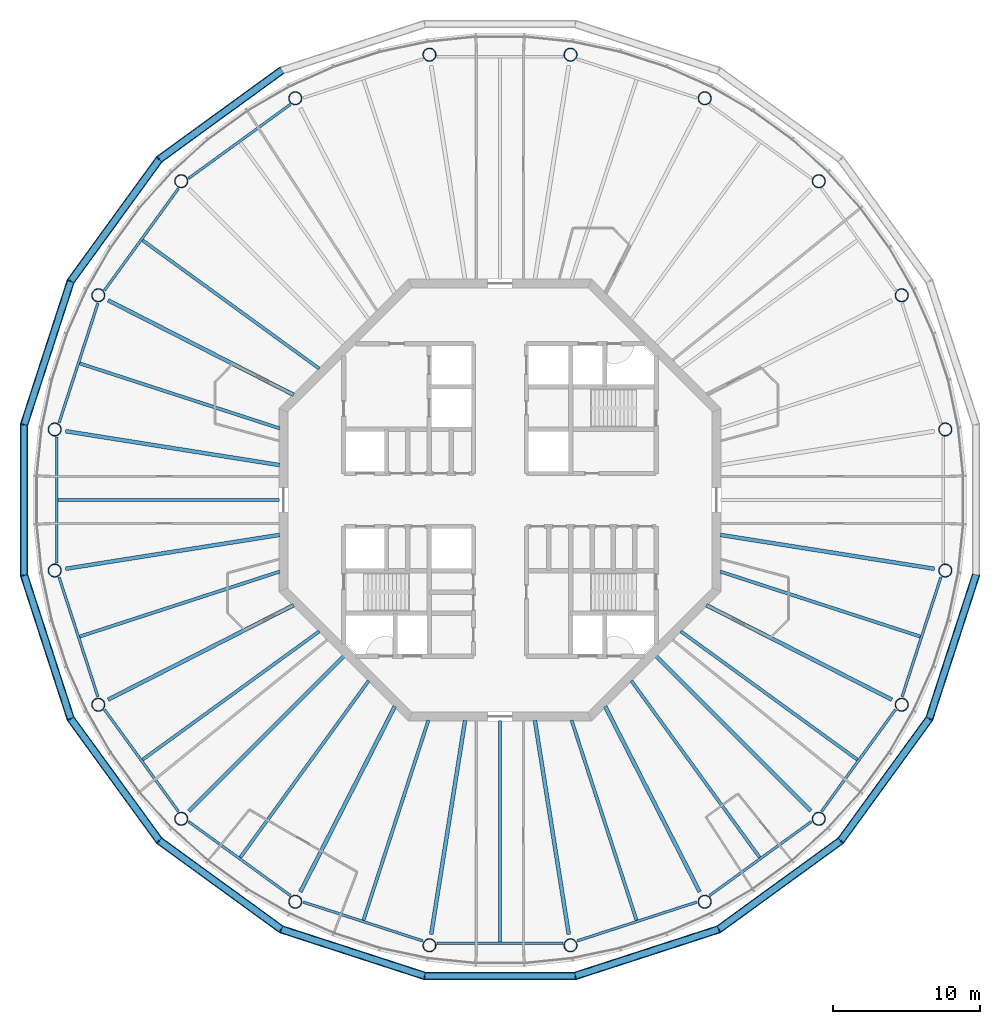
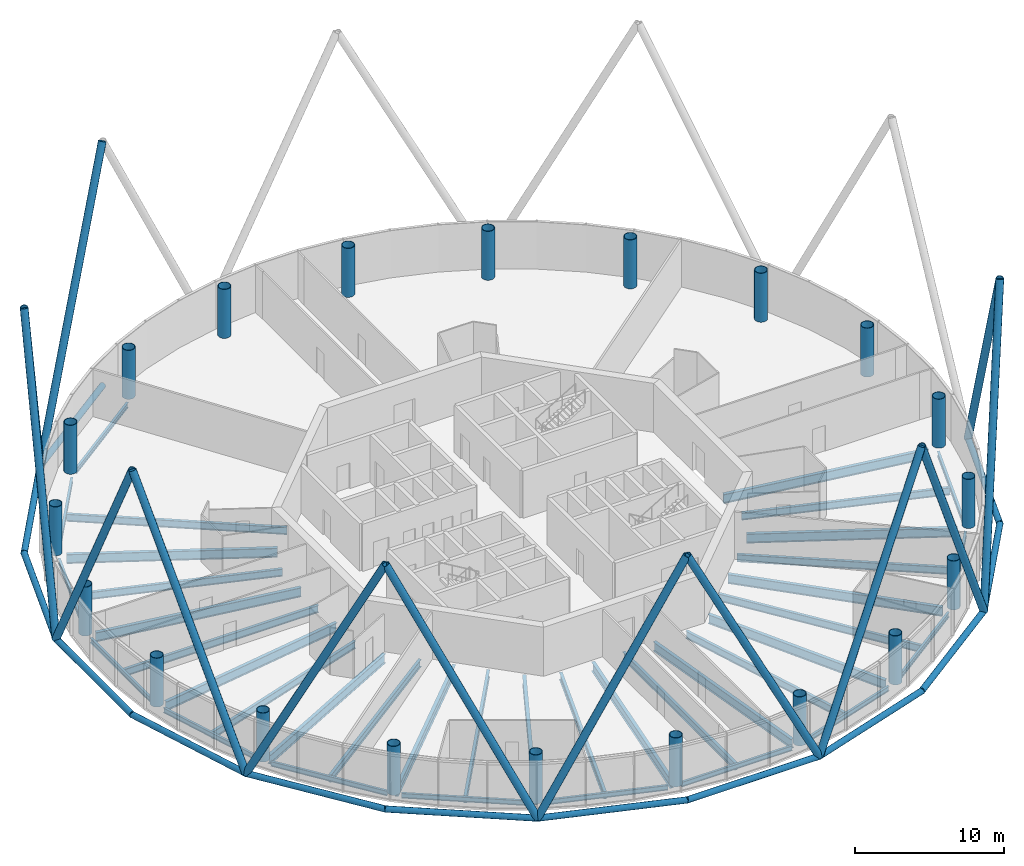
# One storey, part 1 of 13: 37 beams, 26 members, 20 columns.
"""IFC4 building model written with IfcOpenShell, lengths in metres."""

from ifc_helpers import new_model, si_unit, direction, frame, origin, origin_2d, place, context, subcontext, project, spatial, circle, hollow_circle, i_section, extrude, material, material_profile, profile_set, type_object, element, save


model = new_model("IFC4")

# Units and contexts
model_context = context("Model", 3, precision=1e-05, world=origin(), true_north=direction((0.0, 1.0)))
body_context = subcontext(model_context, "Body", "Model", "MODEL_VIEW")
ifc_project = project(units=[si_unit("LENGTHUNIT", "METRE"), si_unit("AREAUNIT", "SQUARE_METRE"), si_unit("VOLUMEUNIT", "CUBIC_METRE"), si_unit("PLANEANGLEUNIT", "RADIAN"), si_unit("MASSUNIT", "GRAM", prefix="KILO")], contexts=[model_context])

# Site, building, storey
site_placement = place(None, origin())
site = spatial("IfcSite", under=ifc_project, at=site_placement, CompositionType="ELEMENT")
building_placement = place(site_placement, origin())
building = spatial("IfcBuilding", under=site, at=building_placement, Name="Entoto Ring Tower", CompositionType="ELEMENT")
storey_placement = place(building_placement, frame((0.0, 0.0, 336.0)))
storey = spatial("IfcBuildingStorey", under=building, at=storey_placement, Name="L77", CompositionType="ELEMENT", Elevation=336.0)

# Columns
ifc_material_1 = material(Name="Steel S355", Category="steel")
ifc_material_profile_1 = material_profile(ifc_material_1, hollow_circle(Radius=0.449951171875, WallThickness=0.0400390625, at=origin_2d()), Name="CHS 900 x 40")
ifc_material_2 = material(Name="Concrete C60/75", Category="concrete")
ifc_material_profile_2 = material_profile(ifc_material_2, circle(Radius=0.409912109375, at=origin_2d()), Name="Concrete C60/75 infill")
ifc_profile_set_1 = profile_set([ifc_material_profile_1, ifc_material_profile_2], Name="Steel S355")
column_type = type_object("IfcColumnType", Name="Ring column 900 x 40 concrete-filled tube", PredefinedType="COLUMN", material=ifc_profile_set_1)
for number, where, z_axis, x_axis, name in (
    (1, (120.22314453125, 84.786865234375, 0.0), (0.0, 0.0, 1.0), (1.0, 0.0, 0.0), "RC6 R01"),
    (2, (117.264892578125, 93.89208984375, 0.0), (0.0, 0.0, 1.0), (1.0, 0.0, 0.0), "RC6 R02"),
    (3, (111.637451171875, 101.637451171875, 0.0), (0.0, 0.0, 1.0), (1.0, 0.0, 0.0), "RC6 R03"),
    (4, (103.89208984375, 107.264892578125, 0.0), (0.0, 0.0, 1.0), (1.0, 0.0, 0.0), "RC6 R04"),
    (5, (94.786865234375, 110.22314453125, 0.0), (0.0, 0.0, 1.0), (1.0, 0.0, 0.0), "RC6 R05"),
    (6, (85.213134765625, 110.22314453125, 0.0), (0.0, 0.0, 1.0), (1.0, 0.0, 0.0), "RC6 R06"),
    (7, (76.10791015625, 107.264892578125, 0.0), (0.0, 0.0, 1.0), (1.0, 0.0, 0.0), "RC6 R07"),
    (8, (68.362548828125, 101.637451171875, 0.0), (0.0, 0.0, 1.0), (1.0, 0.0, 0.0), "RC6 R08"),
    (9, (62.735107421875, 93.89208984375, 0.0), (0.0, 0.0, 1.0), (1.0, 0.0, 0.0), "RC6 R09"),
    (10, (59.77685546875, 84.786865234375, 0.0), (0.0, 0.0, 1.0), (1.0, 0.0, 0.0), "RC6 R10"),
    (11, (59.77685546875, 75.213134765625, 0.0), (0.0, 0.0, 1.0), (1.0, 0.0, 0.0), "RC6 R11"),
    (12, (62.735107421875, 66.10791015625, 0.0), (0.0, 0.0, 1.0), (1.0, 0.0, 0.0), "RC6 R12"),
    (13, (68.362548828125, 58.362548828125, 0.0), (0.0, 0.0, 1.0), (1.0, 0.0, 0.0), "RC6 R13"),
    (14, (76.10791015625, 52.735107421875, 0.0), (0.0, 0.0, 1.0), (1.0, 0.0, 0.0), "RC6 R14"),
    (15, (85.213134765625, 49.77685546875, 0.0), (0.0, 0.0, 1.0), (1.0, 0.0, 0.0), "RC6 R15"),
    (16, (94.786865234375, 49.77685546875, 0.0), (0.0, 0.0, 1.0), (1.0, 0.0, 0.0), "RC6 R16"),
    (17, (103.89208984375, 52.735107421875, 0.0), (0.0, 0.0, 1.0), (1.0, 0.0, 0.0), "RC6 R17"),
    (18, (111.637451171875, 58.362548828125, 0.0), (0.0, 0.0, 1.0), (1.0, 0.0, 0.0), "RC6 R18"),
    (19, (117.264892578125, 66.10791015625, 0.0), (0.0, 0.0, 1.0), (1.0, 0.0, 0.0), "RC6 R19"),
    (20, (120.22314453125, 75.213134765625, 0.0), (0.0, 0.0, 1.0), (1.0, 0.0, 0.0), "RC6 R20"),
):
    element("IfcColumn", number, at=place(storey_placement, frame(where, z_axis=z_axis, x_axis=x_axis)), inside=storey, type_object=column_type, Name=name, PredefinedType="COLUMN", context=body_context, shape_type="SweptSolid", body=[
        extrude(hollow_circle(Radius=0.449951171875, WallThickness=0.0400390625, at=origin_2d()), origin(), (0.0, 0.0, 1.0), 4.0),
    ])

# Members
ifc_material_3 = material(Name="Steel S355", Category="steel")
ifc_material_profile_3 = material_profile(ifc_material_3, hollow_circle(Radius=0.279541015625, WallThickness=0.031982421875, at=origin_2d()), Name="CHS 559 x 32")
ifc_material_4 = material(Name="Concrete C60/75", Category="concrete")
ifc_material_profile_4 = material_profile(ifc_material_4, circle(Radius=0.24755859375, at=origin_2d()), Name="Concrete C60/75 infill")
ifc_profile_set_2 = profile_set([ifc_material_profile_3, ifc_material_profile_4], Name="Steel S355")
member_type_1 = type_object("IfcMemberType", Name="Diagrid diagonal 559 x 32 concrete-filled tube", PredefinedType="BRACE", material=ifc_profile_set_2)
for number, where, z_axis, x_axis, name in (
    (21, (66.877685546875, 103.122314453125, 0.0), (0.368435420028, 0.2676922089, 0.890278733074), (-0.587797047665, 0.809008424404, 0.0), "DG7A module 26 07"),
    (22, (66.877685546875, 103.122314453125, 0.0), (-0.2676922089, -0.368435420028, 0.890278733074), (0.809008424404, -0.587797047665, 0.0), "DG7A module 26 08"),
    (23, (57.70263671875, 85.115478515625, 0.0), (0.140725857901, 0.433121348428, 0.890282051068), (-0.95105896794, 0.309009448885, 0.0), "DG7A module 26 09"),
    (24, (57.70263671875, 85.115478515625, 0.0), (0.0, -0.455419317756, 0.890277060816), (1.0, 0.0, 0.0), "DG7A module 26 10"),
    (25, (60.864013671875, 65.154541015625, 0.0), (-0.140725857901, 0.433121348428, 0.890282051068), (-0.95105896794, -0.309009448885, 0.0), "DG7A module 26 11"),
    (26, (60.864013671875, 65.154541015625, 0.0), (0.2676922089, -0.368435420028, 0.890278733074), (0.809008424404, 0.587797047665, 0.0), "DG7A module 26 12"),
    (27, (75.154541015625, 50.864013671875, 0.0), (-0.368435420028, 0.2676922089, 0.890278733074), (-0.587797047665, -0.809008424404, 0.0), "DG7A module 26 13"),
    (28, (75.154541015625, 50.864013671875, 0.0), (0.433121348428, -0.140725857901, 0.890282051068), (0.309009448885, 0.95105896794, 0.0), "DG7A module 26 14"),
    (29, (95.115478515625, 47.70263671875, 0.0), (-0.455419317756, 0.0, 0.890277060816), (0.0, -1.0, 0.0), "DG7A module 26 15"),
    (30, (95.115478515625, 47.70263671875, 0.0), (0.433121348428, 0.140725857901, 0.890282051068), (-0.309009448885, 0.95105896794, 0.0), "DG7A module 26 16"),
    (31, (113.122314453125, 56.877685546875, 0.0), (-0.368435420028, -0.2676922089, 0.890278733074), (0.587797047665, -0.809008424404, 0.0), "DG7A module 26 17"),
    (32, (113.122314453125, 56.877685546875, 0.0), (0.2676922089, 0.368435420028, 0.890278733074), (-0.809008424404, 0.587797047665, 0.0), "DG7A module 26 18"),
    (33, (122.29736328125, 74.884521484375, 0.0), (-0.140725857901, -0.433121348428, 0.890282051068), (0.95105896794, -0.309009448885, 0.0), "DG7A module 26 19"),
):
    element("IfcMember", number, at=place(storey_placement, frame(where, z_axis=z_axis, x_axis=x_axis)), inside=storey, type_object=member_type_1, Name=name, PredefinedType="BRACE", context=body_context, shape_type="SweptSolid", body=[
        extrude(hollow_circle(Radius=0.279541015625, WallThickness=0.031982421875, at=origin_2d()), origin(), (0.0, 0.0, 1.0), 22.46484375),
    ])
ifc_material_5 = material(Name="Steel S355", Category="steel")
ifc_material_profile_5 = material_profile(ifc_material_5, hollow_circle(Radius=0.228515625, WallThickness=0.02001953125, at=origin_2d()), Name="CHS 457 x 20")
ifc_material_6 = material(Name="Concrete C60/75", Category="concrete")
ifc_material_profile_6 = material_profile(ifc_material_6, circle(Radius=0.20849609375, at=origin_2d()), Name="Concrete C60/75 infill")
ifc_profile_set_3 = profile_set([ifc_material_profile_5, ifc_material_profile_6], Name="Steel S355")
member_type_2 = type_object("IfcMemberType", Name="Diagrid ring beam 457 x 20", PredefinedType="CHORD", material=ifc_profile_set_3)
for number, where, z_axis, x_axis, name in (
    (34, (75.199951171875, 109.1689453125, 0.0), (-0.809019745966, -0.587781465034, 0.0), (0.587781465034, -0.809019745966, 0.0), "DR3 ring 25 06"),
    (35, (66.91064453125, 103.16796875, 0.0), (-0.587781465034, -0.809019745966, 0.0), (0.809019745966, -0.587781465034, 0.0), "DR3 ring 25 07"),
):
    element("IfcMember", number, at=place(storey_placement, frame(where, z_axis=z_axis, x_axis=x_axis)), inside=storey, type_object=member_type_2, Name=name, PredefinedType="CHORD", context=body_context, shape_type="SweptSolid", body=[
        extrude(hollow_circle(Radius=0.228515625, WallThickness=0.02001953125, at=origin_2d()), origin(), (0.0, 0.0, 1.0), 10.34326171875),
    ])
member_1_placement = place(storey_placement, frame((60.88134765625, 94.89892578125, 0.0), z_axis=(-0.309002809244, -0.951061125206, 0.0), x_axis=(0.951061125206, -0.309002809244, 0.0)))
element("IfcMember", 36, at=member_1_placement, inside=storey, type_object=member_type_2, Name="DR3 ring 25 08", PredefinedType="CHORD", context=body_context, shape_type="SweptSolid", body=[
    extrude(hollow_circle(Radius=0.228515625, WallThickness=0.02001953125, at=origin_2d()), origin(), (0.0, 0.0, 1.0), 10.343017578125),
])
member_2_placement = place(storey_placement, frame((57.70263671875, 85.171630859375, 0.0), z_axis=(0.0, -1.0, 0.0), x_axis=(1.0, 0.0, 0.0)))
element("IfcMember", 37, at=member_2_placement, inside=storey, type_object=member_type_2, Name="DR3 ring 25 09", PredefinedType="CHORD", context=body_context, shape_type="SweptSolid", body=[
    extrude(hollow_circle(Radius=0.228515625, WallThickness=0.02001953125, at=origin_2d()), origin(), (0.0, 0.0, 1.0), 10.34326171875),
])
member_3_placement = place(storey_placement, frame((57.685302734375, 74.93798828125, 0.0), z_axis=(0.309002809244, -0.951061125206, 0.0), x_axis=(0.951061125206, 0.309002809244, 0.0)))
element("IfcMember", 38, at=member_3_placement, inside=storey, type_object=member_type_2, Name="DR3 ring 25 10", PredefinedType="CHORD", context=body_context, shape_type="SweptSolid", body=[
    extrude(hollow_circle(Radius=0.228515625, WallThickness=0.02001953125, at=origin_2d()), origin(), (0.0, 0.0, 1.0), 10.343017578125),
])
for number, where, z_axis, x_axis, name in (
    (39, (60.8310546875, 65.199951171875, 0.0), (0.587781465034, -0.809019745966, 0.0), (0.809019745966, 0.587781465034, 0.0), "DR3 ring 25 11"),
    (40, (66.83203125, 56.91064453125, 0.0), (0.809019745966, -0.587781465034, 0.0), (0.587781465034, 0.809019745966, 0.0), "DR3 ring 25 12"),
):
    element("IfcMember", number, at=place(storey_placement, frame(where, z_axis=z_axis, x_axis=x_axis)), inside=storey, type_object=member_type_2, Name=name, PredefinedType="CHORD", context=body_context, shape_type="SweptSolid", body=[
        extrude(hollow_circle(Radius=0.228515625, WallThickness=0.02001953125, at=origin_2d()), origin(), (0.0, 0.0, 1.0), 10.34326171875),
    ])
member_4_placement = place(storey_placement, frame((75.10107421875, 50.88134765625, 0.0), z_axis=(0.951061125206, -0.309002809244, 0.0), x_axis=(0.309002809244, 0.951061125206, 0.0)))
element("IfcMember", 41, at=member_4_placement, inside=storey, type_object=member_type_2, Name="DR3 ring 25 13", PredefinedType="CHORD", context=body_context, shape_type="SweptSolid", body=[
    extrude(hollow_circle(Radius=0.228515625, WallThickness=0.02001953125, at=origin_2d()), origin(), (0.0, 0.0, 1.0), 10.343017578125),
])
member_5_placement = place(storey_placement, frame((84.828369140625, 47.70263671875, 0.0), z_axis=(1.0, 0.0, 0.0), x_axis=(0.0, 1.0, 0.0)))
element("IfcMember", 42, at=member_5_placement, inside=storey, type_object=member_type_2, Name="DR3 ring 25 14", PredefinedType="CHORD", context=body_context, shape_type="SweptSolid", body=[
    extrude(hollow_circle(Radius=0.228515625, WallThickness=0.02001953125, at=origin_2d()), origin(), (0.0, 0.0, 1.0), 10.34326171875),
])
member_6_placement = place(storey_placement, frame((95.06201171875, 47.685302734375, 0.0), z_axis=(0.951061125206, 0.309002809244, 0.0), x_axis=(-0.309002809244, 0.951061125206, 0.0)))
element("IfcMember", 43, at=member_6_placement, inside=storey, type_object=member_type_2, Name="DR3 ring 25 15", PredefinedType="CHORD", context=body_context, shape_type="SweptSolid", body=[
    extrude(hollow_circle(Radius=0.228515625, WallThickness=0.02001953125, at=origin_2d()), origin(), (0.0, 0.0, 1.0), 10.343017578125),
])
for number, where, z_axis, x_axis, name in (
    (44, (104.800048828125, 50.8310546875, 0.0), (0.809019745966, 0.587781465034, 0.0), (-0.587781465034, 0.809019745966, 0.0), "DR3 ring 25 16"),
    (45, (113.08935546875, 56.83203125, 0.0), (0.587781465034, 0.809019745966, 0.0), (-0.809019745966, 0.587781465034, 0.0), "DR3 ring 25 17"),
):
    element("IfcMember", number, at=place(storey_placement, frame(where, z_axis=z_axis, x_axis=x_axis)), inside=storey, type_object=member_type_2, Name=name, PredefinedType="CHORD", context=body_context, shape_type="SweptSolid", body=[
        extrude(hollow_circle(Radius=0.228515625, WallThickness=0.02001953125, at=origin_2d()), origin(), (0.0, 0.0, 1.0), 10.34326171875),
    ])
member_7_placement = place(storey_placement, frame((119.11865234375, 65.10107421875, 0.0), z_axis=(0.309002809244, 0.951061125206, 0.0), x_axis=(-0.951061125206, 0.309002809244, 0.0)))
element("IfcMember", 46, at=member_7_placement, inside=storey, type_object=member_type_2, Name="DR3 ring 25 18", PredefinedType="CHORD", context=body_context, shape_type="SweptSolid", body=[
    extrude(hollow_circle(Radius=0.228515625, WallThickness=0.02001953125, at=origin_2d()), origin(), (0.0, 0.0, 1.0), 10.343017578125),
])

# Beams
ifc_material_7 = material(Name="Steel S355", Category="steel")
ifc_material_profile_7 = material_profile(ifc_material_7, i_section(OverallWidth=0.179931640625, OverallDepth=0.39990234375, WebThickness=0.008544921875, FlangeThickness=0.013427734375, FilletRadius=0.02099609375, at=origin_2d()), Name="IPE 400")
ifc_profile_set_4 = profile_set([ifc_material_profile_7], Name="Steel S355")
beam_type_1 = type_object("IfcBeamType", Name="Edge beam IPE 400", PredefinedType="SPANDREL", material=ifc_profile_set_4)
for number, where, z_axis, x_axis, name in (
    (47, (75.77197265625, 106.842529296875, -0.35009765625), (-0.809029185695, -0.587768472014, 0.0), (0.587768472014, -0.809029185695, 0.0), "Edge beam L77 07"),
    (48, (68.17333984375, 101.132080078125, -0.35009765625), (-0.587768472014, -0.809029185695, 0.0), (0.809029185695, -0.587768472014, 0.0), "Edge beam L77 08"),
):
    element("IfcBeam", number, at=place(storey_placement, frame(where, z_axis=z_axis, x_axis=x_axis)), inside=storey, type_object=beam_type_1, Name=name, PredefinedType="SPANDREL", context=body_context, shape_type="SweptSolid", body=[
        extrude(i_section(OverallWidth=0.179931640625, OverallDepth=0.39990234375, WebThickness=0.008544921875, FlangeThickness=0.013427734375, FilletRadius=0.02099609375, at=origin_2d()), origin(), (0.0, 0.0, 1.0), 8.53369140625),
    ])
beam_1_placement = place(storey_placement, frame((62.71142578125, 93.35302734375, -0.35009765625), z_axis=(-0.309000682164, -0.951061816299, 0.0), x_axis=(0.951061816299, -0.309000682164, 0.0)))
element("IfcBeam", 49, at=beam_1_placement, inside=storey, type_object=beam_type_1, Name="Edge beam L77 09", PredefinedType="SPANDREL", context=body_context, shape_type="SweptSolid", body=[
    extrude(i_section(OverallWidth=0.179931640625, OverallDepth=0.39990234375, WebThickness=0.008544921875, FlangeThickness=0.013427734375, FilletRadius=0.02099609375, at=origin_2d()), origin(), (0.0, 0.0, 1.0), 8.533935546875),
])
beam_2_placement = place(storey_placement, frame((59.920654296875, 84.266845703125, -0.35009765625), z_axis=(0.0, -1.0, 0.0), x_axis=(1.0, 0.0, 0.0)))
element("IfcBeam", 50, at=beam_2_placement, inside=storey, type_object=beam_type_1, Name="Edge beam L77 10", PredefinedType="SPANDREL", context=body_context, shape_type="SweptSolid", body=[
    extrude(i_section(OverallWidth=0.179931640625, OverallDepth=0.39990234375, WebThickness=0.008544921875, FlangeThickness=0.013427734375, FilletRadius=0.02099609375, at=origin_2d()), origin(), (0.0, 0.0, 1.0), 8.53369140625),
])
beam_3_placement = place(storey_placement, frame((60.074462890625, 74.76318359375, -0.35009765625), z_axis=(0.309000682164, -0.951061816299, 0.0), x_axis=(0.951061816299, 0.309000682164, 0.0)))
element("IfcBeam", 51, at=beam_3_placement, inside=storey, type_object=beam_type_1, Name="Edge beam L77 11", PredefinedType="SPANDREL", context=body_context, shape_type="SweptSolid", body=[
    extrude(i_section(OverallWidth=0.179931640625, OverallDepth=0.39990234375, WebThickness=0.008544921875, FlangeThickness=0.013427734375, FilletRadius=0.02099609375, at=origin_2d()), origin(), (0.0, 0.0, 1.0), 8.533935546875),
])
for number, where, z_axis, x_axis, name in (
    (52, (63.157470703125, 65.77197265625, -0.35009765625), (0.587768472014, -0.809029185695, 0.0), (0.809029185695, 0.587768472014, 0.0), "Edge beam L77 12"),
    (53, (68.867919921875, 58.17333984375, -0.35009765625), (0.809029185695, -0.587768472014, 0.0), (0.587768472014, 0.809029185695, 0.0), "Edge beam L77 13"),
):
    element("IfcBeam", number, at=place(storey_placement, frame(where, z_axis=z_axis, x_axis=x_axis)), inside=storey, type_object=beam_type_1, Name=name, PredefinedType="SPANDREL", context=body_context, shape_type="SweptSolid", body=[
        extrude(i_section(OverallWidth=0.179931640625, OverallDepth=0.39990234375, WebThickness=0.008544921875, FlangeThickness=0.013427734375, FilletRadius=0.02099609375, at=origin_2d()), origin(), (0.0, 0.0, 1.0), 8.53369140625),
    ])
beam_4_placement = place(storey_placement, frame((76.64697265625, 52.71142578125, -0.35009765625), z_axis=(0.951061816299, -0.309000682164, 0.0), x_axis=(0.309000682164, 0.951061816299, 0.0)))
element("IfcBeam", 54, at=beam_4_placement, inside=storey, type_object=beam_type_1, Name="Edge beam L77 14", PredefinedType="SPANDREL", context=body_context, shape_type="SweptSolid", body=[
    extrude(i_section(OverallWidth=0.179931640625, OverallDepth=0.39990234375, WebThickness=0.008544921875, FlangeThickness=0.013427734375, FilletRadius=0.02099609375, at=origin_2d()), origin(), (0.0, 0.0, 1.0), 8.533935546875),
])
beam_5_placement = place(storey_placement, frame((85.733154296875, 49.920654296875, -0.35009765625), z_axis=(1.0, 0.0, 0.0), x_axis=(0.0, 1.0, 0.0)))
element("IfcBeam", 55, at=beam_5_placement, inside=storey, type_object=beam_type_1, Name="Edge beam L77 15", PredefinedType="SPANDREL", context=body_context, shape_type="SweptSolid", body=[
    extrude(i_section(OverallWidth=0.179931640625, OverallDepth=0.39990234375, WebThickness=0.008544921875, FlangeThickness=0.013427734375, FilletRadius=0.02099609375, at=origin_2d()), origin(), (0.0, 0.0, 1.0), 8.53369140625),
])
beam_6_placement = place(storey_placement, frame((95.23681640625, 50.074462890625, -0.35009765625), z_axis=(0.951061816299, 0.309000682164, 0.0), x_axis=(-0.309000682164, 0.951061816299, 0.0)))
element("IfcBeam", 56, at=beam_6_placement, inside=storey, type_object=beam_type_1, Name="Edge beam L77 16", PredefinedType="SPANDREL", context=body_context, shape_type="SweptSolid", body=[
    extrude(i_section(OverallWidth=0.179931640625, OverallDepth=0.39990234375, WebThickness=0.008544921875, FlangeThickness=0.013427734375, FilletRadius=0.02099609375, at=origin_2d()), origin(), (0.0, 0.0, 1.0), 8.533935546875),
])
for number, where, z_axis, x_axis, name in (
    (57, (104.22802734375, 53.157470703125, -0.35009765625), (0.809029185695, 0.587768472014, 0.0), (-0.587768472014, 0.809029185695, 0.0), "Edge beam L77 17"),
    (58, (111.82666015625, 58.867919921875, -0.35009765625), (0.587768472014, 0.809029185695, 0.0), (-0.809029185695, 0.587768472014, 0.0), "Edge beam L77 18"),
):
    element("IfcBeam", number, at=place(storey_placement, frame(where, z_axis=z_axis, x_axis=x_axis)), inside=storey, type_object=beam_type_1, Name=name, PredefinedType="SPANDREL", context=body_context, shape_type="SweptSolid", body=[
        extrude(i_section(OverallWidth=0.179931640625, OverallDepth=0.39990234375, WebThickness=0.008544921875, FlangeThickness=0.013427734375, FilletRadius=0.02099609375, at=origin_2d()), origin(), (0.0, 0.0, 1.0), 8.53369140625),
    ])
beam_7_placement = place(storey_placement, frame((117.28857421875, 66.64697265625, -0.35009765625), z_axis=(0.309000682164, 0.951061816299, 0.0), x_axis=(-0.951061816299, 0.309000682164, 0.0)))
element("IfcBeam", 59, at=beam_7_placement, inside=storey, type_object=beam_type_1, Name="Edge beam L77 19", PredefinedType="SPANDREL", context=body_context, shape_type="SweptSolid", body=[
    extrude(i_section(OverallWidth=0.179931640625, OverallDepth=0.39990234375, WebThickness=0.008544921875, FlangeThickness=0.013427734375, FilletRadius=0.02099609375, at=origin_2d()), origin(), (0.0, 0.0, 1.0), 8.533935546875),
])
ifc_material_8 = material(Name="Steel S355", Category="steel")
ifc_material_profile_8 = material_profile(ifc_material_8, i_section(OverallWidth=0.262939453125, OverallDepth=0.7529296875, WebThickness=0.011474609375, FlangeThickness=0.01708984375, FilletRadius=0.01708984375, at=origin_2d()), Name="IPE 750 x 137")
ifc_profile_set_5 = profile_set([ifc_material_profile_8], Name="Steel S355")
beam_type_2 = type_object("IfcBeamType", Name="Primary floor beam IPE 750 x 137", PredefinedType="BEAM", material=ifc_profile_set_5)
beam_8_placement = place(storey_placement, frame((76.0029296875, 87.1318359375, -0.526611328125), z_axis=(-0.891003656616, 0.453996127623, 0.0), x_axis=(-0.453996127623, -0.891003656616, 0.0)))
element("IfcBeam", 60, at=beam_8_placement, inside=storey, type_object=beam_type_2, Name="Primary L77 R09", PredefinedType="BEAM", context=body_context, shape_type="SweptSolid", body=[
    extrude(i_section(OverallWidth=0.262939453125, OverallDepth=0.7529296875, WebThickness=0.011474609375, FlangeThickness=0.01708984375, FilletRadius=0.01708984375, at=origin_2d()), origin(), (0.0, 0.0, 1.0), 14.140869140625),
])
for number, where, z_axis, x_axis, name in (
    (61, (75.040283203125, 82.369384765625, -0.526611328125), (-0.987687460174, 0.156440023699, 0.0), (-0.156440023699, -0.987687460174, 0.0), "Primary L77 R10"),
    (62, (75.040283203125, 77.630615234375, -0.526611328125), (-0.987687460174, -0.156440023699, 0.0), (0.156440023699, -0.987687460174, 0.0), "Primary L77 R11"),
):
    element("IfcBeam", number, at=place(storey_placement, frame(where, z_axis=z_axis, x_axis=x_axis)), inside=storey, type_object=beam_type_2, Name=name, PredefinedType="BEAM", context=body_context, shape_type="SweptSolid", body=[
        extrude(i_section(OverallWidth=0.262939453125, OverallDepth=0.7529296875, WebThickness=0.011474609375, FlangeThickness=0.01708984375, FilletRadius=0.01708984375, at=origin_2d()), origin(), (0.0, 0.0, 1.0), 14.7041015625),
    ])
beam_9_placement = place(storey_placement, frame((76.0029296875, 72.8681640625, -0.526611328125), z_axis=(-0.891003656616, -0.453996127623, 0.0), x_axis=(0.453996127623, -0.891003656616, 0.0)))
element("IfcBeam", 63, at=beam_9_placement, inside=storey, type_object=beam_type_2, Name="Primary L77 R12", PredefinedType="BEAM", context=body_context, shape_type="SweptSolid", body=[
    extrude(i_section(OverallWidth=0.262939453125, OverallDepth=0.7529296875, WebThickness=0.011474609375, FlangeThickness=0.01708984375, FilletRadius=0.01708984375, at=origin_2d()), origin(), (0.0, 0.0, 1.0), 14.140869140625),
])
beam_10_placement = place(storey_placement, frame((79.407470703125, 69.407470703125, -0.526611328125), z_axis=(-0.707106781187, -0.707106781187, 0.0), x_axis=(0.707106781187, -0.707106781187, 0.0)))
element("IfcBeam", 64, at=beam_10_placement, inside=storey, type_object=beam_type_2, Name="Primary L77 R13", PredefinedType="BEAM", context=body_context, shape_type="SweptSolid", body=[
    extrude(i_section(OverallWidth=0.262939453125, OverallDepth=0.7529296875, WebThickness=0.011474609375, FlangeThickness=0.01708984375, FilletRadius=0.01708984375, at=origin_2d()), origin(), (0.0, 0.0, 1.0), 14.869873046875),
])
beam_11_placement = place(storey_placement, frame((82.8681640625, 66.0029296875, -0.526611328125), z_axis=(-0.453996127623, -0.891003656616, 0.0), x_axis=(0.891003656616, -0.453996127623, 0.0)))
element("IfcBeam", 65, at=beam_11_placement, inside=storey, type_object=beam_type_2, Name="Primary L77 R14", PredefinedType="BEAM", context=body_context, shape_type="SweptSolid", body=[
    extrude(i_section(OverallWidth=0.262939453125, OverallDepth=0.7529296875, WebThickness=0.011474609375, FlangeThickness=0.01708984375, FilletRadius=0.01708984375, at=origin_2d()), origin(), (0.0, 0.0, 1.0), 14.140869140625),
])
for number, where, z_axis, x_axis, name in (
    (66, (87.630615234375, 65.040283203125, -0.526611328125), (-0.156440023699, -0.987687460174, 0.0), (0.987687460174, -0.156440023699, 0.0), "Primary L77 R15"),
    (67, (92.369384765625, 65.040283203125, -0.526611328125), (0.156440023699, -0.987687460174, 0.0), (0.987687460174, 0.156440023699, 0.0), "Primary L77 R16"),
):
    element("IfcBeam", number, at=place(storey_placement, frame(where, z_axis=z_axis, x_axis=x_axis)), inside=storey, type_object=beam_type_2, Name=name, PredefinedType="BEAM", context=body_context, shape_type="SweptSolid", body=[
        extrude(i_section(OverallWidth=0.262939453125, OverallDepth=0.7529296875, WebThickness=0.011474609375, FlangeThickness=0.01708984375, FilletRadius=0.01708984375, at=origin_2d()), origin(), (0.0, 0.0, 1.0), 14.7041015625),
    ])
beam_12_placement = place(storey_placement, frame((97.1318359375, 66.0029296875, -0.526611328125), z_axis=(0.453996127623, -0.891003656616, 0.0), x_axis=(0.891003656616, 0.453996127623, 0.0)))
element("IfcBeam", 68, at=beam_12_placement, inside=storey, type_object=beam_type_2, Name="Primary L77 R17", PredefinedType="BEAM", context=body_context, shape_type="SweptSolid", body=[
    extrude(i_section(OverallWidth=0.262939453125, OverallDepth=0.7529296875, WebThickness=0.011474609375, FlangeThickness=0.01708984375, FilletRadius=0.01708984375, at=origin_2d()), origin(), (0.0, 0.0, 1.0), 14.140869140625),
])
beam_13_placement = place(storey_placement, frame((100.592529296875, 69.407470703125, -0.526611328125), z_axis=(0.707106781187, -0.707106781187, 0.0), x_axis=(0.707106781187, 0.707106781187, 0.0)))
element("IfcBeam", 69, at=beam_13_placement, inside=storey, type_object=beam_type_2, Name="Primary L77 R18", PredefinedType="BEAM", context=body_context, shape_type="SweptSolid", body=[
    extrude(i_section(OverallWidth=0.262939453125, OverallDepth=0.7529296875, WebThickness=0.011474609375, FlangeThickness=0.01708984375, FilletRadius=0.01708984375, at=origin_2d()), origin(), (0.0, 0.0, 1.0), 14.869873046875),
])
beam_14_placement = place(storey_placement, frame((103.9970703125, 72.8681640625, -0.526611328125), z_axis=(0.891003656616, -0.453996127623, 0.0), x_axis=(0.453996127623, 0.891003656616, 0.0)))
element("IfcBeam", 70, at=beam_14_placement, inside=storey, type_object=beam_type_2, Name="Primary L77 R19", PredefinedType="BEAM", context=body_context, shape_type="SweptSolid", body=[
    extrude(i_section(OverallWidth=0.262939453125, OverallDepth=0.7529296875, WebThickness=0.011474609375, FlangeThickness=0.01708984375, FilletRadius=0.01708984375, at=origin_2d()), origin(), (0.0, 0.0, 1.0), 14.140869140625),
])
beam_15_placement = place(storey_placement, frame((104.959716796875, 77.630615234375, -0.526611328125), z_axis=(0.987687460174, -0.156440023699, 0.0), x_axis=(0.156440023699, 0.987687460174, 0.0)))
element("IfcBeam", 71, at=beam_15_placement, inside=storey, type_object=beam_type_2, Name="Primary L77 R20", PredefinedType="BEAM", context=body_context, shape_type="SweptSolid", body=[
    extrude(i_section(OverallWidth=0.262939453125, OverallDepth=0.7529296875, WebThickness=0.011474609375, FlangeThickness=0.01708984375, FilletRadius=0.01708984375, at=origin_2d()), origin(), (0.0, 0.0, 1.0), 14.7041015625),
])
ifc_material_9 = material(Name="Steel S355", Category="steel")
ifc_material_profile_9 = material_profile(ifc_material_9, i_section(OverallWidth=0.219970703125, OverallDepth=0.60009765625, WebThickness=0.011962890625, FlangeThickness=0.01904296875, FilletRadius=0.02392578125, at=origin_2d()), Name="IPE 600")
ifc_profile_set_6 = profile_set([ifc_material_profile_9], Name="Steel S355")
beam_type_3 = type_object("IfcBeamType", Name="Secondary floor beam IPE 600", PredefinedType="JOIST", material=ifc_profile_set_6)
beam_16_placement = place(storey_placement, frame((77.74365234375, 88.90478515625, -0.449951171875), z_axis=(-0.809017012151, 0.587785227826, 0.0), x_axis=(-0.587785227826, -0.809017012151, 0.0)))
element("IfcBeam", 72, at=beam_16_placement, inside=storey, type_object=beam_type_3, Name="Secondary beam L77 08", PredefinedType="JOIST", context=body_context, shape_type="SweptSolid", body=[
    extrude(i_section(OverallWidth=0.219970703125, OverallDepth=0.60009765625, WebThickness=0.011962890625, FlangeThickness=0.01904296875, FilletRadius=0.02392578125, at=origin_2d()), origin(), (0.0, 0.0, 1.0), 14.83935546875),
])
beam_17_placement = place(storey_placement, frame((75.052978515625, 84.856689453125, -0.449951171875), z_axis=(-0.951060839629, 0.309003688205, 0.0), x_axis=(-0.309003688205, -0.951060839629, 0.0)))
element("IfcBeam", 73, at=beam_17_placement, inside=storey, type_object=beam_type_3, Name="Secondary beam L77 09", PredefinedType="JOIST", context=body_context, shape_type="SweptSolid", body=[
    extrude(i_section(OverallWidth=0.219970703125, OverallDepth=0.60009765625, WebThickness=0.011962890625, FlangeThickness=0.01904296875, FilletRadius=0.02392578125, at=origin_2d()), origin(), (0.0, 0.0, 1.0), 14.27294921875),
])
beam_18_placement = place(storey_placement, frame((75.02001953125, 80.0, -0.449951171875), z_axis=(-1.0, 0.0, 0.0), x_axis=(0.0, -1.0, 0.0)))
element("IfcBeam", 74, at=beam_18_placement, inside=storey, type_object=beam_type_3, Name="Secondary beam L77 10", PredefinedType="JOIST", context=body_context, shape_type="SweptSolid", body=[
    extrude(i_section(OverallWidth=0.219970703125, OverallDepth=0.60009765625, WebThickness=0.011962890625, FlangeThickness=0.01904296875, FilletRadius=0.02392578125, at=origin_2d()), origin(), (0.0, 0.0, 1.0), 15.00927734375),
])
beam_19_placement = place(storey_placement, frame((75.052978515625, 75.143310546875, -0.449951171875), z_axis=(-0.951060839629, -0.309003688205, 0.0), x_axis=(0.309003688205, -0.951060839629, 0.0)))
element("IfcBeam", 75, at=beam_19_placement, inside=storey, type_object=beam_type_3, Name="Secondary beam L77 11", PredefinedType="JOIST", context=body_context, shape_type="SweptSolid", body=[
    extrude(i_section(OverallWidth=0.219970703125, OverallDepth=0.60009765625, WebThickness=0.011962890625, FlangeThickness=0.01904296875, FilletRadius=0.02392578125, at=origin_2d()), origin(), (0.0, 0.0, 1.0), 14.27294921875),
])
for number, where, z_axis, x_axis, name in (
    (76, (77.74365234375, 71.09521484375, -0.449951171875), (-0.809017012151, -0.587785227826, 0.0), (0.587785227826, -0.809017012151, 0.0), "Secondary beam L77 12"),
    (77, (81.09521484375, 67.74365234375, -0.449951171875), (-0.587785227826, -0.809017012151, 0.0), (0.809017012151, -0.587785227826, 0.0), "Secondary beam L77 13"),
):
    element("IfcBeam", number, at=place(storey_placement, frame(where, z_axis=z_axis, x_axis=x_axis)), inside=storey, type_object=beam_type_3, Name=name, PredefinedType="JOIST", context=body_context, shape_type="SweptSolid", body=[
        extrude(i_section(OverallWidth=0.219970703125, OverallDepth=0.60009765625, WebThickness=0.011962890625, FlangeThickness=0.01904296875, FilletRadius=0.02392578125, at=origin_2d()), origin(), (0.0, 0.0, 1.0), 14.83935546875),
    ])
beam_20_placement = place(storey_placement, frame((85.143310546875, 65.052978515625, -0.449951171875), z_axis=(-0.309003688205, -0.951060839629, 0.0), x_axis=(0.951060839629, -0.309003688205, 0.0)))
element("IfcBeam", 78, at=beam_20_placement, inside=storey, type_object=beam_type_3, Name="Secondary beam L77 14", PredefinedType="JOIST", context=body_context, shape_type="SweptSolid", body=[
    extrude(i_section(OverallWidth=0.219970703125, OverallDepth=0.60009765625, WebThickness=0.011962890625, FlangeThickness=0.01904296875, FilletRadius=0.02392578125, at=origin_2d()), origin(), (0.0, 0.0, 1.0), 14.27294921875),
])
beam_21_placement = place(storey_placement, frame((90.0, 65.02001953125, -0.449951171875), z_axis=(0.0, -1.0, 0.0), x_axis=(1.0, 0.0, 0.0)))
element("IfcBeam", 79, at=beam_21_placement, inside=storey, type_object=beam_type_3, Name="Secondary beam L77 15", PredefinedType="JOIST", context=body_context, shape_type="SweptSolid", body=[
    extrude(i_section(OverallWidth=0.219970703125, OverallDepth=0.60009765625, WebThickness=0.011962890625, FlangeThickness=0.01904296875, FilletRadius=0.02392578125, at=origin_2d()), origin(), (0.0, 0.0, 1.0), 15.00927734375),
])
beam_22_placement = place(storey_placement, frame((94.856689453125, 65.052978515625, -0.449951171875), z_axis=(0.309003688205, -0.951060839629, 0.0), x_axis=(0.951060839629, 0.309003688205, 0.0)))
element("IfcBeam", 80, at=beam_22_placement, inside=storey, type_object=beam_type_3, Name="Secondary beam L77 16", PredefinedType="JOIST", context=body_context, shape_type="SweptSolid", body=[
    extrude(i_section(OverallWidth=0.219970703125, OverallDepth=0.60009765625, WebThickness=0.011962890625, FlangeThickness=0.01904296875, FilletRadius=0.02392578125, at=origin_2d()), origin(), (0.0, 0.0, 1.0), 14.27294921875),
])
for number, where, z_axis, x_axis, name in (
    (81, (98.90478515625, 67.74365234375, -0.449951171875), (0.587785227826, -0.809017012151, 0.0), (0.809017012151, 0.587785227826, 0.0), "Secondary beam L77 17"),
    (82, (102.25634765625, 71.09521484375, -0.449951171875), (0.809017012151, -0.587785227826, 0.0), (0.587785227826, 0.809017012151, 0.0), "Secondary beam L77 18"),
):
    element("IfcBeam", number, at=place(storey_placement, frame(where, z_axis=z_axis, x_axis=x_axis)), inside=storey, type_object=beam_type_3, Name=name, PredefinedType="JOIST", context=body_context, shape_type="SweptSolid", body=[
        extrude(i_section(OverallWidth=0.219970703125, OverallDepth=0.60009765625, WebThickness=0.011962890625, FlangeThickness=0.01904296875, FilletRadius=0.02392578125, at=origin_2d()), origin(), (0.0, 0.0, 1.0), 14.83935546875),
    ])
beam_23_placement = place(storey_placement, frame((104.947021484375, 75.143310546875, -0.449951171875), z_axis=(0.951060839629, -0.309003688205, 0.0), x_axis=(0.309003688205, 0.951060839629, 0.0)))
element("IfcBeam", 83, at=beam_23_placement, inside=storey, type_object=beam_type_3, Name="Secondary beam L77 19", PredefinedType="JOIST", context=body_context, shape_type="SweptSolid", body=[
    extrude(i_section(OverallWidth=0.219970703125, OverallDepth=0.60009765625, WebThickness=0.011962890625, FlangeThickness=0.01904296875, FilletRadius=0.02392578125, at=origin_2d()), origin(), (0.0, 0.0, 1.0), 14.27294921875),
])

save(model, "model.ifc")
